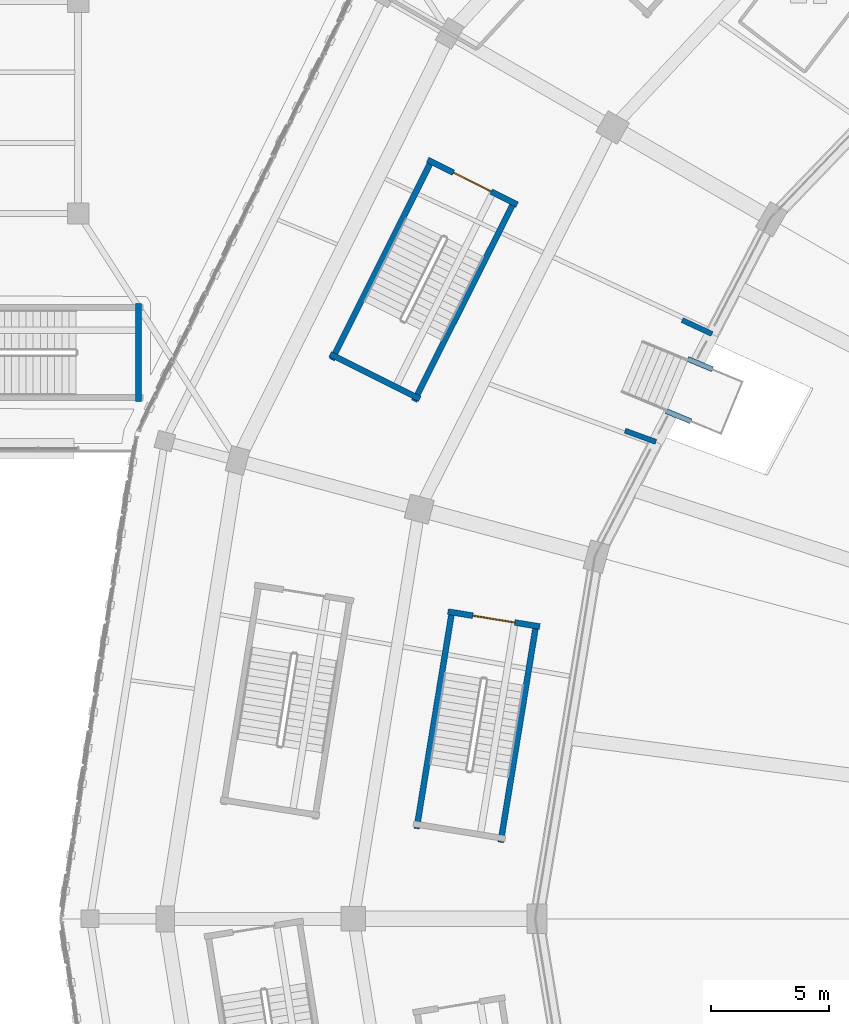
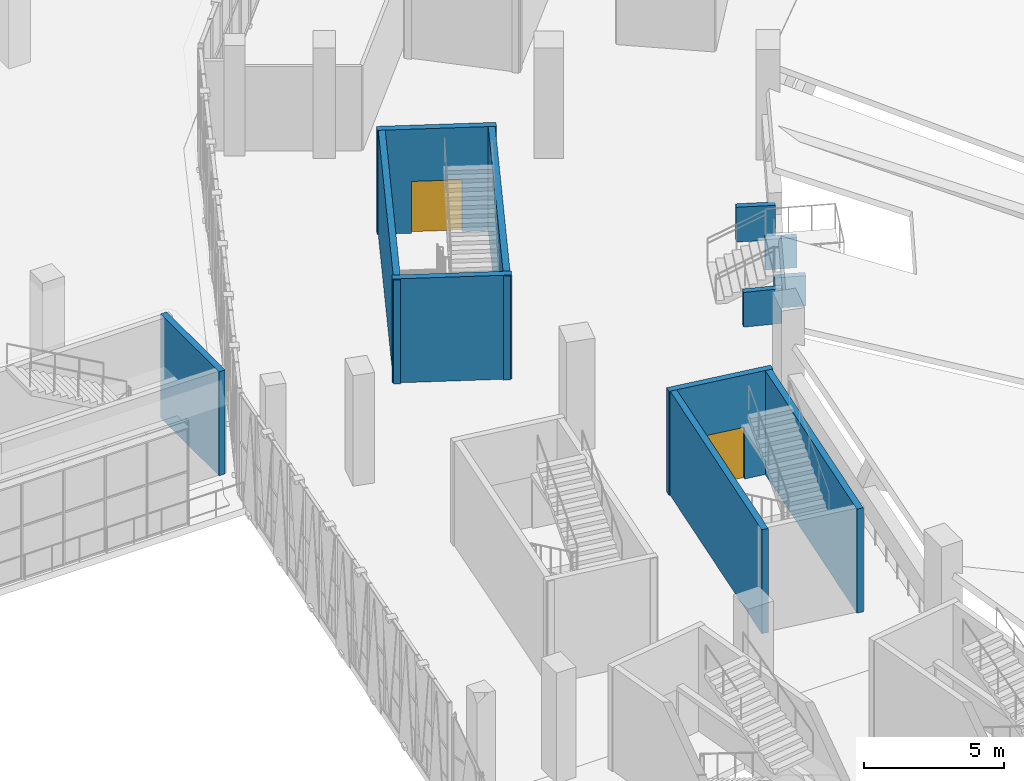
# One storey, part 101 of 183: 12 walls, 2 doors, 2 openings.
"""IFC4 building model written with IfcOpenShell, lengths in metres."""

from ifc_helpers import new_model, si_unit, direction, frame, frame_2d, origin, place, context, subcontext, project, spatial, rectangle, extrude, material, layer, layer_set, type_object, element, fill, save


model = new_model("IFC4")

# Units and contexts
model_context = context("Model", 3, precision=1e-05, world=origin(), true_north=direction((0.0, 1.0)))
body_context = subcontext(model_context, "Body", "Model", "MODEL_VIEW")
ifc_project = project(units=[si_unit("LENGTHUNIT", "METRE"), si_unit("AREAUNIT", "SQUARE_METRE"), si_unit("VOLUMEUNIT", "CUBIC_METRE"), si_unit("PLANEANGLEUNIT", "RADIAN"), si_unit("MASSUNIT", "GRAM", prefix="KILO")], contexts=[model_context])

# Site, building, storey
site_placement = place(None, origin())
site = spatial("IfcSite", under=ifc_project, at=site_placement, CompositionType="ELEMENT")
building_placement = place(site_placement, origin())
building = spatial("IfcBuilding", under=site, at=building_placement, Name="Zevraka Park Crest Stadium", CompositionType="ELEMENT")
storey_placement = place(building_placement, frame((0.0, 0.0, 5.39990234375)))
storey = spatial("IfcBuildingStorey", under=building, at=storey_placement, Name="L01", CompositionType="ELEMENT", Elevation=5.39990234375)

# Walls
ifc_material_1 = material(Name="Concrete C40/50", Category="concrete")
ifc_layer_1 = layer(ifc_material_1, 0.25)
ifc_layer_set_1 = layer_set([ifc_layer_1], Name="Concrete C40/50")
wall_type_1 = type_object("IfcWallType", Name="SW01", PredefinedType="SHEAR", material=ifc_layer_set_1)
wall_1_placement = place(storey_placement, frame((33.0634765625, 124.313232421875, 0.0), z_axis=(0.0, 0.0, 1.0), x_axis=(-0.447919041961, -0.894074119885, 0.0)))
element("IfcWall", 1, at=wall_1_placement, inside=storey, type_object=wall_type_1, Name="Stair Core Shear Wall SW01 ST11 L01 left", PredefinedType="SHEAR", context=body_context, shape_type="SweptSolid", body=[
    extrude(rectangle(XDim=9.5498046875, YDim=0.25, at=frame_2d((4.77490234375, 0.0))), origin(), (0.0, 0.0, 1.0), 4.52001953125),
])
wall_2_placement = place(storey_placement, frame((32.29052734375, 114.01904296875, 0.0), z_axis=(0.0, 0.0, 1.0), x_axis=(0.4479088042, 0.894079248792, 0.0)))
element("IfcWall", 2, at=wall_2_placement, inside=storey, type_object=wall_type_1, Name="Stair Core Shear Wall SW01 ST11 L01 right", PredefinedType="SHEAR", context=body_context, shape_type="SweptSolid", body=[
    extrude(rectangle(XDim=9.550048828125, YDim=0.25, at=frame_2d((4.77490234375, 0.0))), origin(), (0.0, 0.0, 1.0), 4.52001953125),
])

# Wall, opening, door
wall_3_placement = place(storey_placement, frame((36.664306640625, 122.36962890625, 0.0), z_axis=(0.0, 0.0, 1.0), x_axis=(-0.894071595331, 0.447924081092, 0.0)))
wall_3 = element("IfcWall", 3, at=wall_3_placement, inside=storey, type_object=wall_type_1, Name="Stair Core Shear Wall SW01 ST11 L01 near", PredefinedType="SHEAR", context=body_context, shape_type="SweptSolid", body=[
    extrude(rectangle(XDim=4.260009765625, YDim=0.25, at=frame_2d((2.1298828125, 0.0))), origin(), (0.0, 0.0, 1.0), 4.52001953125),
])
opening_1_placement = place(wall_3_placement, frame((1.22998046875, 0.0, 0.0)))
opening_1 = element("IfcOpeningElement", 4, at=opening_1_placement, cuts=wall_3, Name="Opening D-L01-064", PredefinedType="OPENING", context=body_context, shape_type="SweptSolid", body=[
    extrude(rectangle(XDim=1.800048828125, YDim=2.25, at=frame_2d((0.89990234375, 1.125))), frame((0.0, 0.135009765625, 0.0), z_axis=(0.0, -1.0, 0.0), x_axis=(1.0, 0.0, 0.0)), (0.0, 0.0, 1.0), 0.27001953125),
])
ifc_material_2 = material(Name="Solid-core hardwood timber leaf in steel frame", Category="steel")
door_type = type_object("IfcDoorType", Name="DR04", OperationType="NOTDEFINED", PredefinedType="DOOR", material=ifc_material_2)
door_1_placement = place(opening_1_placement, origin())
door_1 = element("IfcDoor", 5, at=door_1_placement, inside=storey, type_object=door_type, Name="Protected Stair Entry Door ST11 L01", OperationType="DOUBLE_DOOR_SINGLE_SWING", OverallHeight=2.25, OverallWidth=1.800048828125, PredefinedType="DOOR", context=body_context, shape_type="SweptSolid", body=[
    extrude(rectangle(XDim=1.800048828125, YDim=2.25, at=frame_2d((0.89990234375, 1.125))), frame((0.0, 0.02490234375, 0.0), z_axis=(0.0, -1.0, 0.0), x_axis=(1.0, 0.0, 0.0)), (0.0, 0.0, 1.0), 0.050048828125),
])
fill(opening_1, door_1)

# Walls
wall_4_placement = place(storey_placement, frame((28.716796875, 116.016357421875, 0.0), z_axis=(0.0, 0.0, 1.0), x_axis=(0.894083048484, -0.447901219481, 0.0)))
element("IfcWall", 6, at=wall_4_placement, inside=storey, type_object=wall_type_1, Name="Stair Core Shear Wall SW01 ST11 L01 far", PredefinedType="SHEAR", context=body_context, shape_type="SweptSolid", body=[
    extrude(rectangle(XDim=4.259765625, YDim=0.25, at=frame_2d((2.1298828125, 0.0))), origin(), (0.0, 0.0, 1.0), 4.52001953125),
])
for number, where, z_axis, x_axis, name in (
    (7, (33.9091796875, 105.15966796875, 0.0), (0.0, 0.0, 1.0), (-0.160694331821, -0.987004220721, 0.0), "Stair Core Shear Wall SW01 ST38 L01 left"),
    (8, (35.96337890625, 95.250732421875, 0.0), (0.0, 0.0, 1.0), (0.160719499634, 0.987000122815, 0.0), "Stair Core Shear Wall SW01 ST38 L01 right"),
):
    element("IfcWall", number, at=place(storey_placement, frame(where, z_axis=z_axis, x_axis=x_axis)), inside=storey, type_object=wall_type_1, Name=name, PredefinedType="SHEAR", context=body_context, shape_type="SweptSolid", body=[
        extrude(rectangle(XDim=9.449951171875, YDim=0.25, at=frame_2d((4.72509765625, 0.0))), origin(), (0.0, 0.0, 1.0), 4.52001953125),
    ])

# Wall, opening, door
wall_5_placement = place(storey_placement, frame((37.6298828125, 104.42724609375, 0.0), z_axis=(0.0, 0.0, 1.0), x_axis=(-0.987008406822, 0.160668618163, 0.0)))
wall_5 = element("IfcWall", 9, at=wall_5_placement, inside=storey, type_object=wall_type_1, Name="Stair Core Shear Wall SW01 ST38 L01 near", PredefinedType="SHEAR", context=body_context, shape_type="SweptSolid", body=[
    extrude(rectangle(XDim=3.9599609375, YDim=0.25, at=frame_2d((1.97998046875, 0.0))), origin(), (0.0, 0.0, 1.0), 4.52001953125),
])
opening_2_placement = place(wall_5_placement, frame((1.080078125, 0.0, 0.0)))
opening_2 = element("IfcOpeningElement", 10, at=opening_2_placement, cuts=wall_5, Name="Opening D-L01-207", PredefinedType="OPENING", context=body_context, shape_type="SweptSolid", body=[
    extrude(rectangle(XDim=1.800048828125, YDim=2.25, at=frame_2d((0.89990234375, 1.125))), frame((0.0, 0.135009765625, 0.0), z_axis=(0.0, -1.0, 0.0), x_axis=(1.0, 0.0, 0.0)), (0.0, 0.0, 1.0), 0.27001953125),
])
door_2_placement = place(opening_2_placement, origin())
door_2 = element("IfcDoor", 11, at=door_2_placement, inside=storey, type_object=door_type, Name="Protected Stair Entry Door ST38 L01", OperationType="DOUBLE_DOOR_SINGLE_SWING", OverallHeight=2.25, OverallWidth=1.800048828125, PredefinedType="DOOR", context=body_context, shape_type="SweptSolid", body=[
    extrude(rectangle(XDim=1.800048828125, YDim=2.25, at=frame_2d((0.89990234375, 1.125))), frame((0.0, 0.02490234375, 0.0), z_axis=(0.0, -1.0, 0.0), x_axis=(1.0, 0.0, 0.0)), (0.0, 0.0, 1.0), 0.050048828125),
])
fill(opening_2, door_2)

# Walls
wall_6_placement = place(storey_placement, frame((20.56494140625, 114.0, 0.0), z_axis=(0.0, 0.0, 1.0), x_axis=(0.0, 1.0, 0.0)))
element("IfcWall", 12, at=wall_6_placement, inside=storey, type_object=wall_type_1, Name="Stair Core Shear Wall SW01 ST48 L01 far", PredefinedType="SHEAR", context=body_context, shape_type="SweptSolid", body=[
    extrude(rectangle(XDim=4.159912109375, YDim=0.25, at=frame_2d((2.080078125, 0.0))), origin(), (0.0, 0.0, 1.0), 4.52001953125),
])
ifc_material_3 = material(Name="Concrete C40/50", Category="concrete")
ifc_layer_2 = layer(ifc_material_3, 0.219970703125)
ifc_layer_set_2 = layer_set([ifc_layer_2], Name="Concrete C40/50")
wall_type_2 = type_object("IfcWallType", Name="SW02", PredefinedType="SHEAR", material=ifc_layer_set_2)
for number, where, z_axis, x_axis, name in (
    (13, (44.950927734375, 116.87109375, 0.0), (0.0, 0.0, 1.0), (-0.906956638148, 0.421223998033, 0.0), "Vomitory Portal Raker Pier Wall SW02 10-1"),
    (14, (42.569091796875, 112.279052734375, 0.0), (0.0, 0.0, 1.0), (-0.939170864262, 0.343450269648, 0.0), "Vomitory Portal Raker Pier Wall SW02 10-2"),
):
    element("IfcWall", number, at=place(storey_placement, frame(where, z_axis=z_axis, x_axis=x_axis)), inside=storey, type_object=wall_type_2, Name=name, PredefinedType="SHEAR", context=body_context, shape_type="SweptSolid", body=[
        extrude(rectangle(XDim=1.400390625, YDim=0.219970703125, at=frame_2d((0.7001953125, 0.0))), origin(), (0.0, 0.0, 1.0), 1.510009765625),
    ])
for number, where, z_axis, x_axis, name in (
    (15, (43.0009765625, 113.590087890625, -0.2998046875), (0.0, 0.0, 1.0), (0.923844027884, -0.382769136873, 0.0), "Vomitory Portal Support Wall SW02 VS-04-1"),
    (16, (43.9189453125, 115.80810546875, -0.2998046875), (0.0, 0.0, 1.0), (0.923844027884, -0.382769136873, 0.0), "Vomitory Portal Support Wall SW02 VS-04-2"),
):
    element("IfcWall", number, at=place(storey_placement, frame(where, z_axis=z_axis, x_axis=x_axis)), inside=storey, type_object=wall_type_2, Name=name, PredefinedType="SHEAR", context=body_context, shape_type="SweptSolid", body=[
        extrude(rectangle(XDim=1.13671875, YDim=0.219970703125, at=frame_2d((0.568359375, 0.0))), origin(), (0.0, 0.0, 1.0), 1.31982421875),
    ])

save(model, "model.ifc")
